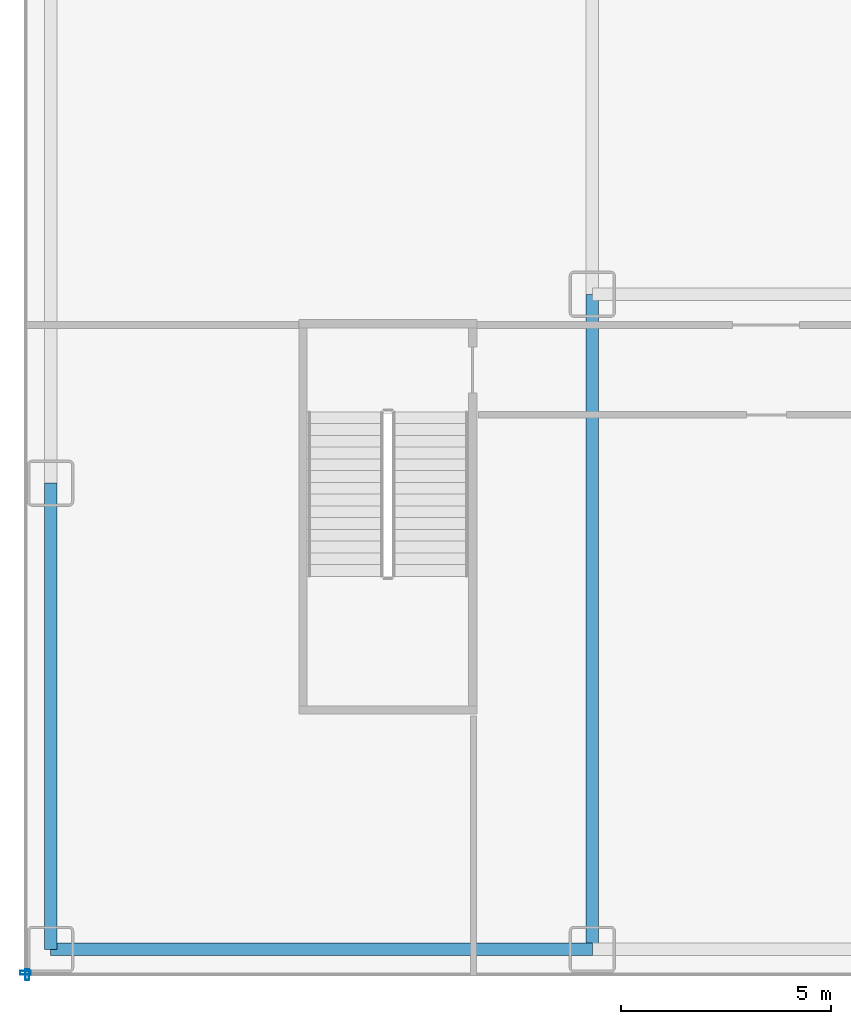
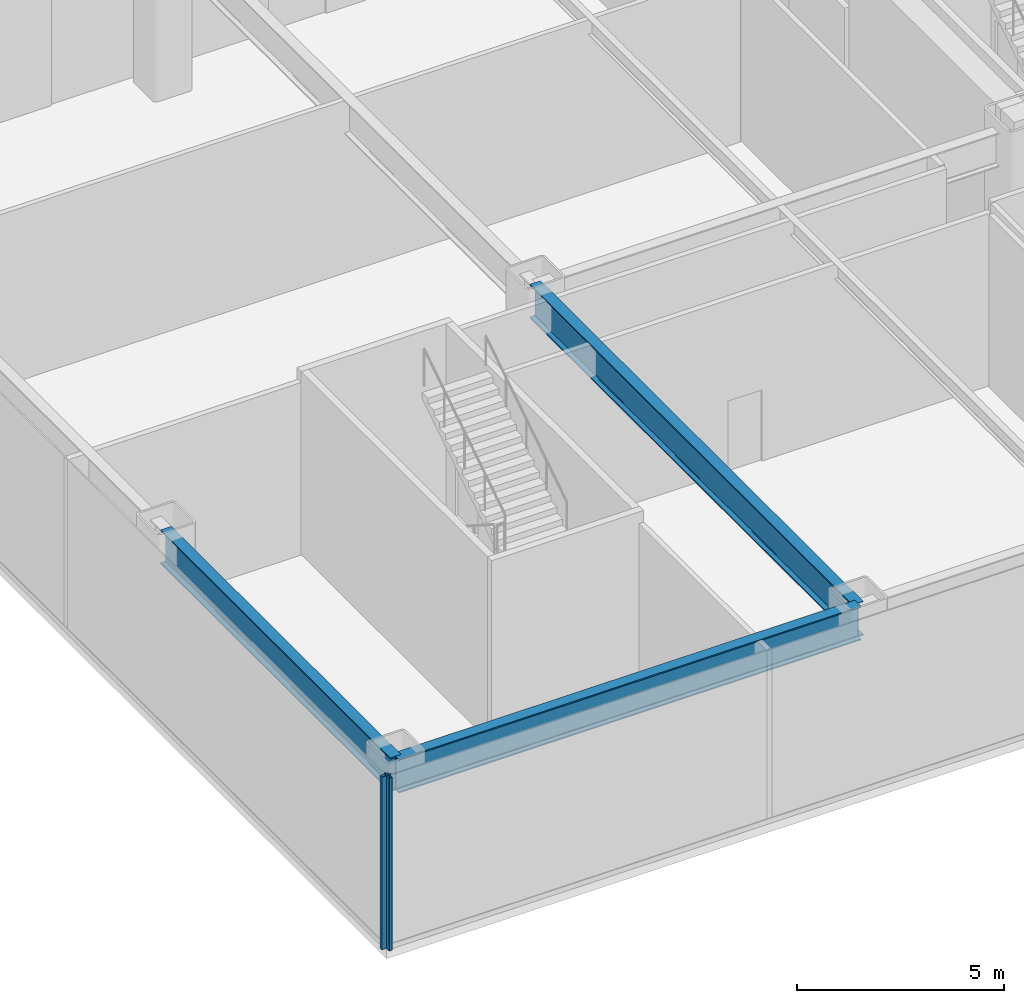
# One storey, part 2 of 24: 3 beams, 2 members, 2 elements without a shape of their own.
"""IFC4 building model written with IfcOpenShell, lengths in metres."""

from ifc_helpers import new_model, si_unit, direction, frame, origin, origin_2d, place, context, subcontext, project, spatial, hollow_rectangle, i_section, extrude, source, transform, mapped, material, layer, layer_set, material_profile, profile_set, type_object, element, aggregate, save


model = new_model("IFC4")

# Units and contexts
model_context = context("Model", 3, precision=1e-05, world=origin(), true_north=direction((0.0, 1.0)))
body_context = subcontext(model_context, "Body", "Model", "MODEL_VIEW")
ifc_project = project(units=[si_unit("LENGTHUNIT", "METRE"), si_unit("AREAUNIT", "SQUARE_METRE"), si_unit("VOLUMEUNIT", "CUBIC_METRE"), si_unit("PLANEANGLEUNIT", "RADIAN"), si_unit("MASSUNIT", "GRAM", prefix="KILO")], contexts=[model_context])

# Site, building, storey
site_placement = place(None, origin())
site = spatial("IfcSite", under=ifc_project, at=site_placement, CompositionType="ELEMENT")
building_placement = place(site_placement, origin())
building = spatial("IfcBuilding", under=site, at=building_placement, Name="Nefas-Gora Pilgrimage Tower", CompositionType="ELEMENT")
storey_placement = place(building_placement, frame((0.0, 0.0, 16.800048828125)))
storey = spatial("IfcBuildingStorey", under=building, at=storey_placement, Name="L03", CompositionType="ELEMENT", Elevation=16.800048828125)

# Beams
ifc_material_1 = material(Name="Steel S460", Category="steel")
ifc_material_profile_1 = material_profile(ifc_material_1, i_section(OverallWidth=0.300048828125, OverallDepth=1.0, WebThickness=0.01904296875, FlangeThickness=0.035888671875, FilletRadius=0.030029296875, at=origin_2d()), Name="HEB 1000")
ifc_profile_set_1 = profile_set([ifc_material_profile_1], Name="Steel S460")
beam_type_1 = type_object("IfcBeamType", Name="BM-POD-HEB1000E", PredefinedType="BEAM", material=ifc_profile_set_1)
shared_shape_1 = source(origin(), body_context, "Body", "SweptSolid", [
    extrude(i_section(OverallWidth=0.300048828125, OverallDepth=1.0, WebThickness=0.01904296875, FlangeThickness=0.035888671875, FilletRadius=0.030029296875, at=origin_2d()), origin(), (0.0, 0.0, 1.0), 12.89990234375),
])
beam_1_placement = place(storey_placement, frame((-37.64990234375, -24.60009765625, 4.599853515625), z_axis=(1.0, 0.0, 0.0), x_axis=(0.0, 1.0, 0.0)))
element("IfcBeam", 1, at=beam_1_placement, inside=storey, type_object=beam_type_1, Name="L03 PG-01E beam", PredefinedType="BEAM", context=body_context, shape_type="MappedRepresentation", body=[
    mapped(shared_shape_1, transform((0.0, 0.0, 0.0), x_axis=(1.0, 0.0, 0.0), y_axis=(0.0, 1.0, 0.0), z_axis=(0.0, 0.0, 1.0), scale=1.0)),
])
shared_shape_2 = source(origin(), body_context, "Body", "SweptSolid", [
    extrude(i_section(OverallWidth=0.300048828125, OverallDepth=1.0, WebThickness=0.01904296875, FlangeThickness=0.035888671875, FilletRadius=0.030029296875, at=origin_2d()), origin(), (0.0, 0.0, 1.0), 11.10009765625),
])
beam_2_placement = place(storey_placement, frame((-37.64990234375, -24.60009765625, 4.599853515625), z_axis=(0.0, 1.0, 0.0), x_axis=(-1.0, 0.0, 0.0)))
element("IfcBeam", 2, at=beam_2_placement, inside=storey, type_object=beam_type_1, Name="L03 PG-01E beam", PredefinedType="BEAM", context=body_context, shape_type="MappedRepresentation", body=[
    mapped(shared_shape_2, transform((0.0, 0.0, 0.0), x_axis=(1.0, 0.0, 0.0), y_axis=(0.0, 1.0, 0.0), z_axis=(0.0, 0.0, 1.0), scale=1.0)),
])
ifc_material_profile_2 = material_profile(ifc_material_1, i_section(OverallWidth=0.300048828125, OverallDepth=1.0, WebThickness=0.01904296875, FlangeThickness=0.035888671875, FilletRadius=0.030029296875, at=origin_2d()), Name="HEB 1000")
ifc_profile_set_2 = profile_set([ifc_material_profile_2], Name="Steel S460")
beam_type_2 = type_object("IfcBeamType", Name="BM-POD-HEB1000", PredefinedType="BEAM", material=ifc_profile_set_2)
shared_shape_3 = source(origin(), body_context, "Body", "SweptSolid", [
    extrude(i_section(OverallWidth=0.300048828125, OverallDepth=1.0, WebThickness=0.01904296875, FlangeThickness=0.035888671875, FilletRadius=0.030029296875, at=origin_2d()), origin(), (0.0, 0.0, 1.0), 15.60009765625),
])
beam_3_placement = place(storey_placement, frame((-24.75, -24.60009765625, 4.599853515625), z_axis=(0.0, 1.0, 0.0), x_axis=(-1.0, 0.0, 0.0)))
element("IfcBeam", 3, at=beam_3_placement, inside=storey, type_object=beam_type_2, Name="L03 PG-01 beam", PredefinedType="BEAM", context=body_context, shape_type="MappedRepresentation", body=[
    mapped(shared_shape_3, transform((0.0, 0.0, 0.0), x_axis=(1.0, 0.0, 0.0), y_axis=(0.0, 1.0, 0.0), z_axis=(0.0, 0.0, 1.0), scale=1.0)),
])

# Curtain wall, member
ifc_material_2 = material(Name="Dark ceramic-fritted solar-control aluminium-glass curtain wall", Category="aluminium")
ifc_layer = layer(ifc_material_2, 0.219970703125)
ifc_layer_set = layer_set([ifc_layer], Name="Dark ceramic-fritted solar-control aluminium-glass curtain wall")
curtain_wall_type = type_object("IfcCurtainWallType", Name="CW-SYS-1", PredefinedType="NOTDEFINED", material=ifc_layer_set)
curtain_wall_1_placement = place(storey_placement, origin())
curtain_wall_1 = element("IfcCurtainWall", 4, at=curtain_wall_1_placement, inside=storey, type_object=curtain_wall_type, Name="L03 Unitised Curtain Wall CW1", PredefinedType="NOTDEFINED")
ifc_material_3 = material(Name="Anodised architectural aluminium", Category="aluminium")
ifc_material_profile_3 = material_profile(ifc_material_3, hollow_rectangle(XDim=0.090087890625, YDim=0.260009765625, WallThickness=0.006103515625, InnerFilletRadius=0.006103515625, OuterFilletRadius=0.011962890625, at=origin_2d()), Name="ALU MULLION 90x260")
ifc_profile_set_3 = profile_set([ifc_material_profile_3], Name="Anodised architectural aluminium")
member_type = type_object("IfcMemberType", Name="CWM-MUL-1", PredefinedType="MULLION", material=ifc_profile_set_3)
shared_shape_4 = source(origin(), body_context, "Body", "SweptSolid", [
    extrude(hollow_rectangle(XDim=0.090087890625, YDim=0.260009765625, WallThickness=0.006103515625, InnerFilletRadius=0.006103515625, OuterFilletRadius=0.011962890625, at=origin_2d()), origin(), (0.0, 0.0, 1.0), 5.099853515625),
])
member_1_placement = place(storey_placement, frame((-38.25, -25.155029296875, 0.0), z_axis=(0.0, 0.0, 1.0), x_axis=(0.0, -1.0, 0.0)))
member_1 = element("IfcMember", 5, at=member_1_placement, type_object=member_type, Name="CW1 Mullion 3", PredefinedType="MULLION", context=body_context, shape_type="MappedRepresentation", body=[
    mapped(shared_shape_4, transform((0.0, 0.0, 0.0), x_axis=(1.0, 0.0, 0.0), y_axis=(0.0, 1.0, 0.0), z_axis=(0.0, 0.0, 1.0), scale=1.0)),
])
aggregate(curtain_wall_1, [member_1])

curtain_wall_2_placement = place(storey_placement, origin())
curtain_wall_2 = element("IfcCurtainWall", 6, at=curtain_wall_2_placement, inside=storey, type_object=curtain_wall_type, Name="L03 Unitised Curtain Wall CW1", PredefinedType="NOTDEFINED")
member_2_placement = place(storey_placement, frame((-38.205078125, -25.199951171875, 0.0), z_axis=(0.0, 0.0, 1.0), x_axis=(1.0, 0.0, 0.0)))
member_2 = element("IfcMember", 7, at=member_2_placement, type_object=member_type, Name="CW1 Mullion 1", PredefinedType="MULLION", context=body_context, shape_type="MappedRepresentation", body=[
    mapped(shared_shape_4, transform((0.0, 0.0, 0.0), x_axis=(1.0, 0.0, 0.0), y_axis=(0.0, 1.0, 0.0), z_axis=(0.0, 0.0, 1.0), scale=1.0)),
])
aggregate(curtain_wall_2, [member_2])

save(model, "model.ifc")
